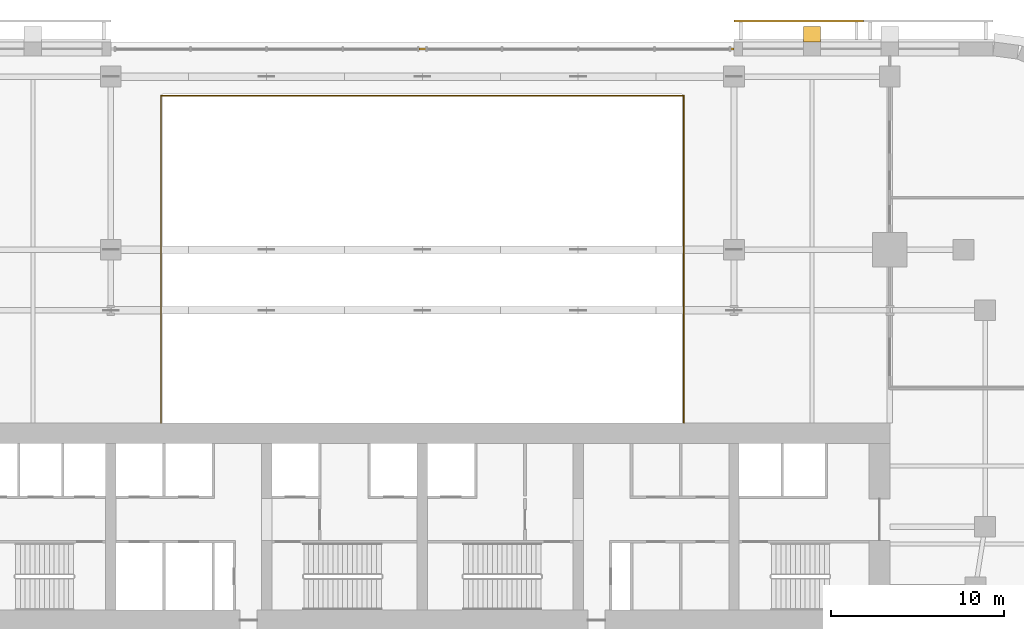
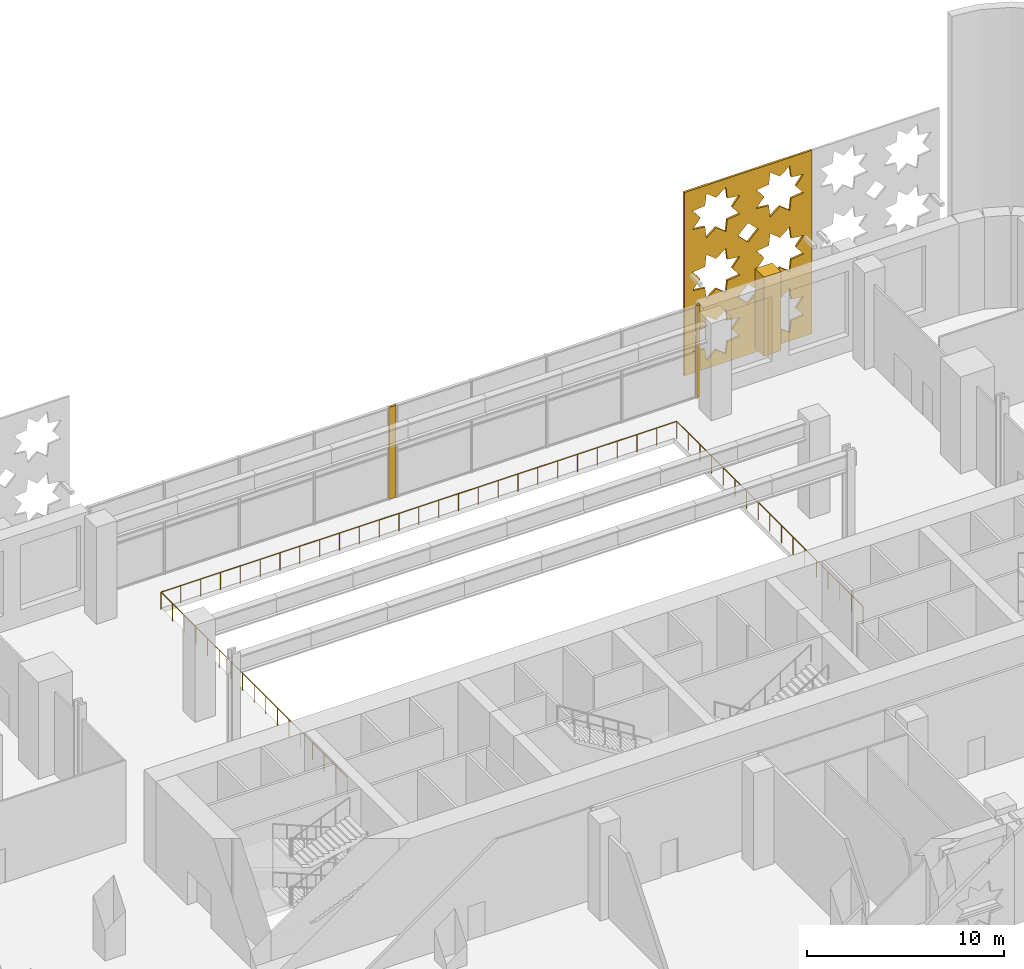
# One storey, part 16 of 17: 4 coverings, 1 railing.
"""IFC4 building model written with IfcOpenShell, lengths in metres."""

from ifc_helpers import new_model, si_unit, direction, frame, origin, origin_2d, place, context, subcontext, project, spatial, polyline, rectangle, circle, outline, extrude, material, layer, layer_set, type_object, element, save


model = new_model("IFC4")

# Units and contexts
model_context = context("Model", 3, precision=1e-05, world=origin(), true_north=direction((0.0, 1.0)))
body_context = subcontext(model_context, "Body", "Model", "MODEL_VIEW")
ifc_project = project(units=[si_unit("LENGTHUNIT", "METRE"), si_unit("AREAUNIT", "SQUARE_METRE"), si_unit("VOLUMEUNIT", "CUBIC_METRE"), si_unit("PLANEANGLEUNIT", "RADIAN"), si_unit("MASSUNIT", "GRAM", prefix="KILO")], contexts=[model_context])

# Site, building, storey
site_placement = place(None, origin())
site = spatial("IfcSite", under=ifc_project, at=site_placement, CompositionType="ELEMENT")
building_placement = place(site_placement, origin())
building = spatial("IfcBuilding", under=site, at=building_placement, Name="Zellij Exchange Tower", CompositionType="ELEMENT")
storey_placement = place(building_placement, frame((0.0, 0.0, 21.0)))
storey = spatial("IfcBuildingStorey", under=building, at=storey_placement, Name="L03", CompositionType="ELEMENT", Elevation=21.0)

# Coverings
ifc_material_1 = material(Name="Limestone cladding", Category="masonry")
ifc_layer_1 = layer(ifc_material_1, 0.1201171875)
ifc_layer_set_1 = layer_set([ifc_layer_1], Name="Limestone cladding")
covering_type_1 = type_object("IfcCoveringType", Name="ENV-CV18 Glazing closer 120", PredefinedType="CLADDING", material=ifc_layer_set_1)
covering_1_placement = place(storey_placement, frame((0.0, 19.60009765625, 0.0), z_axis=(0.0, 0.0, 1.0), x_axis=(-1.0, 0.0, 0.0)))
element("IfcCovering", 1, at=covering_1_placement, inside=storey, type_object=covering_type_1, Name="Glazing closer", PredefinedType="CLADDING", context=body_context, shape_type="SweptSolid", body=[
    extrude(rectangle(XDim=0.39990234375, YDim=0.1201171875, at=origin_2d()), origin(), (0.0, 0.0, 1.0), 5.699951171875),
])
covering_2_placement = place(storey_placement, frame((17.89990234375, 19.60009765625, 0.0), z_axis=(0.0, 0.0, 1.0), x_axis=(1.0, 0.0, 0.0)))
element("IfcCovering", 2, at=covering_2_placement, inside=storey, type_object=covering_type_1, Name="Glazing closer", PredefinedType="CLADDING", context=body_context, shape_type="SweptSolid", body=[
    extrude(rectangle(XDim=0.199951171875, YDim=0.1201171875, at=origin_2d()), origin(), (0.0, 0.0, 1.0), 5.699951171875),
])
covering_type_2 = type_object("IfcCoveringType", Name="ENV-CV2 Stone pier 1000x900", PredefinedType="CLADDING", material=ifc_material_1)
covering_3_placement = place(storey_placement, frame((0.0, 0.0, 0.800048828125)))
element("IfcCovering", 3, at=covering_3_placement, inside=storey, type_object=covering_type_2, Name="Stone pier", PredefinedType="CLADDING", context=body_context, shape_type="SweptSolid", body=[
    extrude(outline(polyline([(23.0, 20.0), (22.0, 20.0), (22.0, 20.89990234375), (23.0, 20.89990234375), (23.0, 20.0)])), origin(), (0.0, 0.0, 1.0), 4.89990234375),
])
ifc_material_2 = material(Name="Limestone screen", Category="masonry")
ifc_layer_2 = layer(ifc_material_2, 0.1201171875)
ifc_layer_set_2 = layer_set([ifc_layer_2], Name="Limestone screen")
covering_type_3 = type_object("IfcCoveringType", Name="ENV-SC1 Pierced stone screen 120", PredefinedType="USERDEFINED", material=ifc_layer_set_2)
covering_4_placement = place(storey_placement, frame((25.473876953125, 21.2099609375, 0.300048828125), z_axis=(0.0, 0.0, 1.0), x_axis=(-1.0, 0.0, 0.0)))
element("IfcCovering", 4, at=covering_4_placement, inside=storey, type_object=covering_type_3, Name="Pierced stone screen", ObjectType="SCREEN", PredefinedType="USERDEFINED", context=body_context, shape_type="SweptSolid", body=[
    extrude(outline(polyline([(0.0, 0.0), (7.473876953125, 0.0), (7.473876953125, 11.35009765625), (0.0, 11.35009765625), (0.0, 0.0)]), holes=[polyline([(3.24951171875, 2.463623046875), (2.523681640625, 2.547119140625), (2.4404296875, 3.272705078125), (1.868408203125, 2.818359375), (1.29638671875, 3.272705078125), (1.213134765625, 2.547119140625), (0.487548828125, 2.463623046875), (0.941650390625, 1.8916015625), (0.487548828125, 1.319580078125), (1.213134765625, 1.236328125), (1.29638671875, 0.5107421875), (1.868408203125, 0.96484375), (2.4404296875, 0.5107421875), (2.523681640625, 1.236328125), (3.24951171875, 1.319580078125), (2.795166015625, 1.8916015625), (3.24951171875, 2.463623046875)]), polyline([(3.24951171875, 6.2470703125), (2.523681640625, 6.330322265625), (2.4404296875, 7.055908203125), (1.868408203125, 6.601806640625), (1.29638671875, 7.055908203125), (1.213134765625, 6.330322265625), (0.487548828125, 6.2470703125), (0.941650390625, 5.675048828125), (0.487548828125, 5.10302734375), (1.213134765625, 5.019775390625), (1.29638671875, 4.2939453125), (1.868408203125, 4.748291015625), (2.4404296875, 4.2939453125), (2.523681640625, 5.019775390625), (3.24951171875, 5.10302734375), (2.795166015625, 5.675048828125), (3.24951171875, 6.2470703125)]), polyline([(3.24951171875, 10.030517578125), (2.523681640625, 10.113525390625), (2.4404296875, 10.83935546875), (1.868408203125, 10.385009765625), (1.29638671875, 10.83935546875), (1.213134765625, 10.113525390625), (0.487548828125, 10.030517578125), (0.941650390625, 9.458251953125), (0.487548828125, 8.88623046875), (1.213134765625, 8.802978515625), (1.29638671875, 8.077392578125), (1.868408203125, 8.531494140625), (2.4404296875, 8.077392578125), (2.523681640625, 8.802978515625), (3.24951171875, 8.88623046875), (2.795166015625, 9.458251953125), (3.24951171875, 10.030517578125)]), polyline([(6.986328125, 2.463623046875), (6.2607421875, 2.547119140625), (6.177490234375, 3.272705078125), (5.605224609375, 2.818359375), (5.033203125, 3.272705078125), (4.949951171875, 2.547119140625), (4.224365234375, 2.463623046875), (4.6787109375, 1.8916015625), (4.224365234375, 1.319580078125), (4.949951171875, 1.236328125), (5.033203125, 0.5107421875), (5.605224609375, 0.96484375), (6.177490234375, 0.5107421875), (6.2607421875, 1.236328125), (6.986328125, 1.319580078125), (6.531982421875, 1.8916015625), (6.986328125, 2.463623046875)]), polyline([(6.986328125, 6.2470703125), (6.2607421875, 6.330322265625), (6.177490234375, 7.055908203125), (5.605224609375, 6.601806640625), (5.033203125, 7.055908203125), (4.949951171875, 6.330322265625), (4.224365234375, 6.2470703125), (4.6787109375, 5.675048828125), (4.224365234375, 5.10302734375), (4.949951171875, 5.019775390625), (5.033203125, 4.2939453125), (5.605224609375, 4.748291015625), (6.177490234375, 4.2939453125), (6.2607421875, 5.019775390625), (6.986328125, 5.10302734375), (6.531982421875, 5.675048828125), (6.986328125, 6.2470703125)]), polyline([(6.986328125, 10.030517578125), (6.2607421875, 10.113525390625), (6.177490234375, 10.83935546875), (5.605224609375, 10.385009765625), (5.033203125, 10.83935546875), (4.949951171875, 10.113525390625), (4.224365234375, 10.030517578125), (4.6787109375, 9.458251953125), (4.224365234375, 8.88623046875), (4.949951171875, 8.802978515625), (5.033203125, 8.077392578125), (5.605224609375, 8.531494140625), (6.177490234375, 8.077392578125), (6.2607421875, 8.802978515625), (6.986328125, 8.88623046875), (6.531982421875, 9.458251953125), (6.986328125, 10.030517578125)]), polyline([(4.334716796875, 3.783203125), (3.73681640625, 4.381103515625), (3.138916015625, 3.783203125), (3.73681640625, 3.185302734375), (4.334716796875, 3.783203125)]), polyline([(4.334716796875, 7.566650390625), (3.73681640625, 8.16455078125), (3.138916015625, 7.566650390625), (3.73681640625, 6.96875), (4.334716796875, 7.566650390625)])]), frame((0.0, 0.06005859375, 0.0), z_axis=(0.0, -1.0, 0.0), x_axis=(1.0, 0.0, 0.0)), (0.0, 0.0, 1.0), 0.1201171875),
])

# Railing
ifc_material_3 = material(Name="Steel and glass guard", Category="steel")
railing_type = type_object("IfcRailingType", Name="FIT-GUARD-1100", PredefinedType="GUARDRAIL", material=ifc_material_3)
railing_placement = place(storey_placement, frame((-15.10009765625, -2.0, 0.0)))
element("IfcRailing", 5, at=railing_placement, inside=storey, type_object=railing_type, Name="Hall concourse guard 001", PredefinedType="GUARDRAIL", context=body_context, shape_type="SweptSolid", body=[
    extrude(circle(Radius=0.02490234375, at=origin_2d()), frame((0.0, 0.0, 1.0751953125), z_axis=(0.0, 1.0, 0.0), x_axis=(-1.0, 0.0, 0.0)), (0.0, 0.0, 1.0), 18.89990234375),
    extrude(circle(Radius=0.02490234375, at=origin_2d()), frame((0.0, 18.89990234375, 1.0751953125), z_axis=(1.0, 0.0, 0.0), x_axis=(0.0, 1.0, 0.0)), (0.0, 0.0, 1.0), 30.2001953125),
    extrude(circle(Radius=0.02490234375, at=origin_2d()), frame((30.2001953125, 18.89990234375, 1.0751953125), z_axis=(0.0, -1.0, 0.0), x_axis=(1.0, 0.0, 0.0)), (0.0, 0.0, 1.0), 18.89990234375),
    extrude(circle(Radius=0.02001953125, at=origin_2d()), origin(), (0.0, 0.0, 1.0), 1.050048828125),
    extrude(circle(Radius=0.02001953125, at=origin_2d()), frame((0.0, 1.18115234375, 0.0)), (0.0, 0.0, 1.0), 1.050048828125),
    extrude(circle(Radius=0.02001953125, at=origin_2d()), frame((0.0, 2.362548828125, 0.0)), (0.0, 0.0, 1.0), 1.050048828125),
    extrude(circle(Radius=0.02001953125, at=origin_2d()), frame((0.0, 3.543701171875, 0.0)), (0.0, 0.0, 1.0), 1.050048828125),
    extrude(circle(Radius=0.02001953125, at=origin_2d()), frame((0.0, 4.72509765625, 0.0)), (0.0, 0.0, 1.0), 1.050048828125),
    extrude(circle(Radius=0.02001953125, at=origin_2d()), frame((0.0, 5.90625, 0.0)), (0.0, 0.0, 1.0), 1.050048828125),
    extrude(circle(Radius=0.02001953125, at=origin_2d()), frame((0.0, 7.08740234375, 0.0)), (0.0, 0.0, 1.0), 1.050048828125),
    extrude(circle(Radius=0.02001953125, at=origin_2d()), frame((0.0, 8.268798828125, 0.0)), (0.0, 0.0, 1.0), 1.050048828125),
    extrude(circle(Radius=0.02001953125, at=origin_2d()), frame((0.0, 9.449951171875, 0.0)), (0.0, 0.0, 1.0), 1.050048828125),
    extrude(circle(Radius=0.02001953125, at=origin_2d()), frame((0.0, 10.631103515625, 0.0)), (0.0, 0.0, 1.0), 1.050048828125),
    extrude(circle(Radius=0.02001953125, at=origin_2d()), frame((0.0, 11.8125, 0.0)), (0.0, 0.0, 1.0), 1.050048828125),
    extrude(circle(Radius=0.02001953125, at=origin_2d()), frame((0.0, 12.99365234375, 0.0)), (0.0, 0.0, 1.0), 1.050048828125),
    extrude(circle(Radius=0.02001953125, at=origin_2d()), frame((0.0, 14.1748046875, 0.0)), (0.0, 0.0, 1.0), 1.050048828125),
    extrude(circle(Radius=0.02001953125, at=origin_2d()), frame((0.0, 15.356201171875, 0.0)), (0.0, 0.0, 1.0), 1.050048828125),
    extrude(circle(Radius=0.02001953125, at=origin_2d()), frame((0.0, 16.537353515625, 0.0)), (0.0, 0.0, 1.0), 1.050048828125),
    extrude(circle(Radius=0.02001953125, at=origin_2d()), frame((0.0, 17.71875, 0.0)), (0.0, 0.0, 1.0), 1.050048828125),
    extrude(circle(Radius=0.02001953125, at=origin_2d()), frame((0.0, 18.89990234375, 0.0)), (0.0, 0.0, 1.0), 1.050048828125),
    extrude(circle(Radius=0.02001953125, at=origin_2d()), frame((1.16162109375, 18.89990234375, 0.0)), (0.0, 0.0, 1.0), 1.050048828125),
    extrude(circle(Radius=0.02001953125, at=origin_2d()), frame((2.322998046875, 18.89990234375, 0.0)), (0.0, 0.0, 1.0), 1.050048828125),
    extrude(circle(Radius=0.02001953125, at=origin_2d()), frame((3.484619140625, 18.89990234375, 0.0)), (0.0, 0.0, 1.0), 1.050048828125),
    extrude(circle(Radius=0.02001953125, at=origin_2d()), frame((4.646240234375, 18.89990234375, 0.0)), (0.0, 0.0, 1.0), 1.050048828125),
    extrude(circle(Radius=0.02001953125, at=origin_2d()), frame((5.8076171875, 18.89990234375, 0.0)), (0.0, 0.0, 1.0), 1.050048828125),
    extrude(circle(Radius=0.02001953125, at=origin_2d()), frame((6.96923828125, 18.89990234375, 0.0)), (0.0, 0.0, 1.0), 1.050048828125),
    extrude(circle(Radius=0.02001953125, at=origin_2d()), frame((8.130859375, 18.89990234375, 0.0)), (0.0, 0.0, 1.0), 1.050048828125),
    extrude(circle(Radius=0.02001953125, at=origin_2d()), frame((9.29248046875, 18.89990234375, 0.0)), (0.0, 0.0, 1.0), 1.050048828125),
    extrude(circle(Radius=0.02001953125, at=origin_2d()), frame((10.453857421875, 18.89990234375, 0.0)), (0.0, 0.0, 1.0), 1.050048828125),
    extrude(circle(Radius=0.02001953125, at=origin_2d()), frame((11.615478515625, 18.89990234375, 0.0)), (0.0, 0.0, 1.0), 1.050048828125),
    extrude(circle(Radius=0.02001953125, at=origin_2d()), frame((12.777099609375, 18.89990234375, 0.0)), (0.0, 0.0, 1.0), 1.050048828125),
    extrude(circle(Radius=0.02001953125, at=origin_2d()), frame((13.9384765625, 18.89990234375, 0.0)), (0.0, 0.0, 1.0), 1.050048828125),
    extrude(circle(Radius=0.02001953125, at=origin_2d()), frame((15.10009765625, 18.89990234375, 0.0)), (0.0, 0.0, 1.0), 1.050048828125),
    extrude(circle(Radius=0.02001953125, at=origin_2d()), frame((16.26171875, 18.89990234375, 0.0)), (0.0, 0.0, 1.0), 1.050048828125),
    extrude(circle(Radius=0.02001953125, at=origin_2d()), frame((17.423095703125, 18.89990234375, 0.0)), (0.0, 0.0, 1.0), 1.050048828125),
    extrude(circle(Radius=0.02001953125, at=origin_2d()), frame((18.584716796875, 18.89990234375, 0.0)), (0.0, 0.0, 1.0), 1.050048828125),
    extrude(circle(Radius=0.02001953125, at=origin_2d()), frame((19.746337890625, 18.89990234375, 0.0)), (0.0, 0.0, 1.0), 1.050048828125),
    extrude(circle(Radius=0.02001953125, at=origin_2d()), frame((20.90771484375, 18.89990234375, 0.0)), (0.0, 0.0, 1.0), 1.050048828125),
    extrude(circle(Radius=0.02001953125, at=origin_2d()), frame((22.0693359375, 18.89990234375, 0.0)), (0.0, 0.0, 1.0), 1.050048828125),
    extrude(circle(Radius=0.02001953125, at=origin_2d()), frame((23.23095703125, 18.89990234375, 0.0)), (0.0, 0.0, 1.0), 1.050048828125),
    extrude(circle(Radius=0.02001953125, at=origin_2d()), frame((24.392578125, 18.89990234375, 0.0)), (0.0, 0.0, 1.0), 1.050048828125),
    extrude(circle(Radius=0.02001953125, at=origin_2d()), frame((25.553955078125, 18.89990234375, 0.0)), (0.0, 0.0, 1.0), 1.050048828125),
    extrude(circle(Radius=0.02001953125, at=origin_2d()), frame((26.715576171875, 18.89990234375, 0.0)), (0.0, 0.0, 1.0), 1.050048828125),
    extrude(circle(Radius=0.02001953125, at=origin_2d()), frame((27.877197265625, 18.89990234375, 0.0)), (0.0, 0.0, 1.0), 1.050048828125),
    extrude(circle(Radius=0.02001953125, at=origin_2d()), frame((29.03857421875, 18.89990234375, 0.0)), (0.0, 0.0, 1.0), 1.050048828125),
    extrude(circle(Radius=0.02001953125, at=origin_2d()), frame((30.2001953125, 18.89990234375, 0.0)), (0.0, 0.0, 1.0), 1.050048828125),
    extrude(circle(Radius=0.02001953125, at=origin_2d()), frame((30.2001953125, 17.71875, 0.0)), (0.0, 0.0, 1.0), 1.050048828125),
    extrude(circle(Radius=0.02001953125, at=origin_2d()), frame((30.2001953125, 16.537353515625, 0.0)), (0.0, 0.0, 1.0), 1.050048828125),
    extrude(circle(Radius=0.02001953125, at=origin_2d()), frame((30.2001953125, 15.356201171875, 0.0)), (0.0, 0.0, 1.0), 1.050048828125),
    extrude(circle(Radius=0.02001953125, at=origin_2d()), frame((30.2001953125, 14.1748046875, 0.0)), (0.0, 0.0, 1.0), 1.050048828125),
    extrude(circle(Radius=0.02001953125, at=origin_2d()), frame((30.2001953125, 12.99365234375, 0.0)), (0.0, 0.0, 1.0), 1.050048828125),
    extrude(circle(Radius=0.02001953125, at=origin_2d()), frame((30.2001953125, 11.8125, 0.0)), (0.0, 0.0, 1.0), 1.050048828125),
    extrude(circle(Radius=0.02001953125, at=origin_2d()), frame((30.2001953125, 10.631103515625, 0.0)), (0.0, 0.0, 1.0), 1.050048828125),
    extrude(circle(Radius=0.02001953125, at=origin_2d()), frame((30.2001953125, 9.449951171875, 0.0)), (0.0, 0.0, 1.0), 1.050048828125),
    extrude(circle(Radius=0.02001953125, at=origin_2d()), frame((30.2001953125, 8.268798828125, 0.0)), (0.0, 0.0, 1.0), 1.050048828125),
    extrude(circle(Radius=0.02001953125, at=origin_2d()), frame((30.2001953125, 7.08740234375, 0.0)), (0.0, 0.0, 1.0), 1.050048828125),
    extrude(circle(Radius=0.02001953125, at=origin_2d()), frame((30.2001953125, 5.90625, 0.0)), (0.0, 0.0, 1.0), 1.050048828125),
    extrude(circle(Radius=0.02001953125, at=origin_2d()), frame((30.2001953125, 4.72509765625, 0.0)), (0.0, 0.0, 1.0), 1.050048828125),
    extrude(circle(Radius=0.02001953125, at=origin_2d()), frame((30.2001953125, 3.543701171875, 0.0)), (0.0, 0.0, 1.0), 1.050048828125),
    extrude(circle(Radius=0.02001953125, at=origin_2d()), frame((30.2001953125, 2.362548828125, 0.0)), (0.0, 0.0, 1.0), 1.050048828125),
    extrude(circle(Radius=0.02001953125, at=origin_2d()), frame((30.2001953125, 1.18115234375, 0.0)), (0.0, 0.0, 1.0), 1.050048828125),
    extrude(circle(Radius=0.02001953125, at=origin_2d()), frame((30.2001953125, 0.0, 0.0)), (0.0, 0.0, 1.0), 1.050048828125),
])

save(model, "model.ifc")
